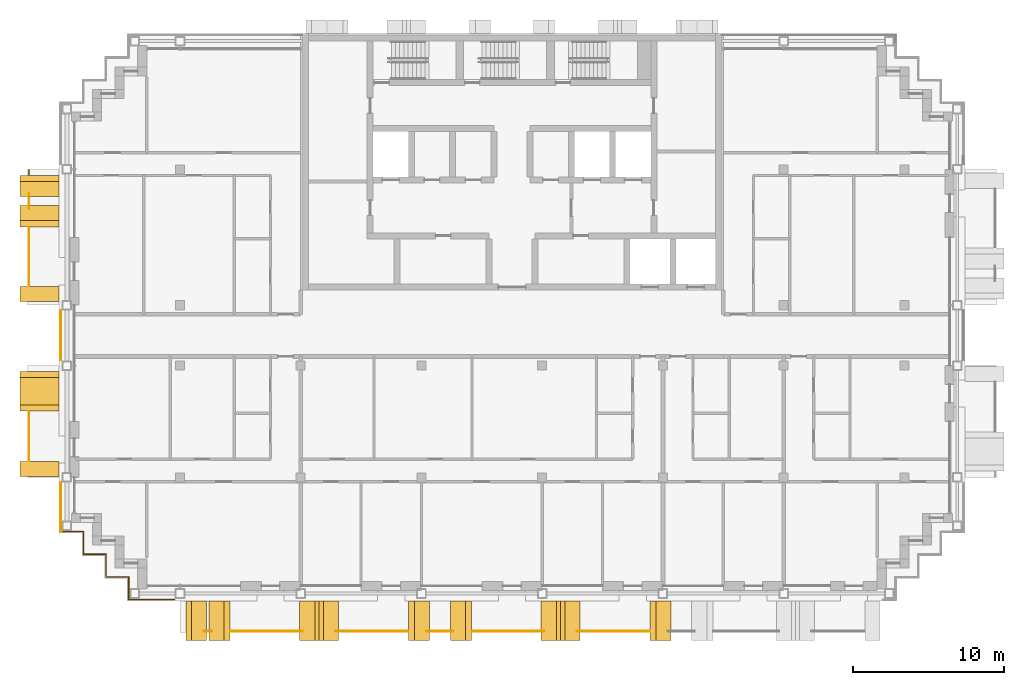
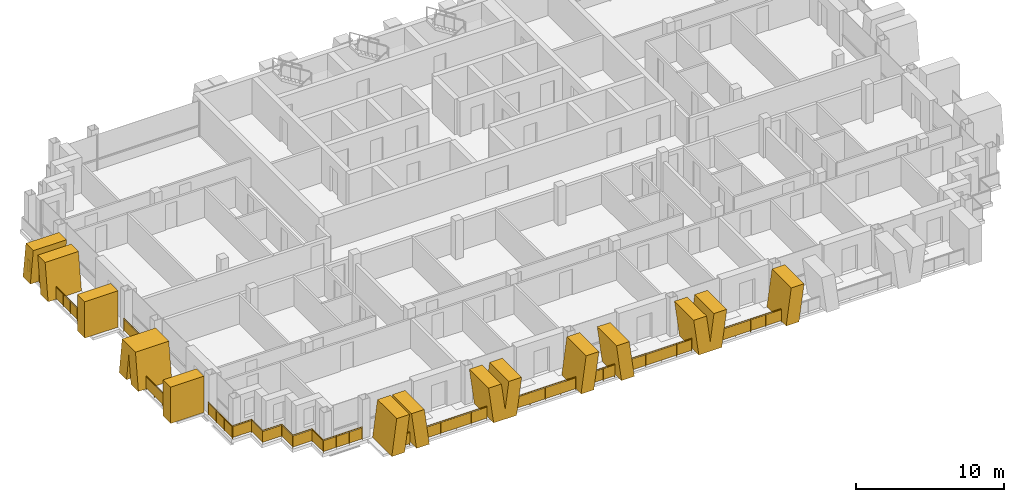
# One storey, part 12 of 15: 13 railings, 12 shading devices.
"""IFC4 building model written with IfcOpenShell, lengths in metres."""

from ifc_helpers import new_model, si_unit, direction, frame, origin, origin_2d, place, context, subcontext, project, spatial, polyline, rectangle, circle, outline, extrude, material, layer, layer_set, type_object, element, save


model = new_model("IFC4")

# Units and contexts
model_context = context("Model", 3, precision=1e-05, world=origin(), true_north=direction((0.0, 1.0)))
body_context = subcontext(model_context, "Body", "Model", "MODEL_VIEW")
ifc_project = project(units=[si_unit("LENGTHUNIT", "METRE"), si_unit("AREAUNIT", "SQUARE_METRE"), si_unit("VOLUMEUNIT", "CUBIC_METRE"), si_unit("PLANEANGLEUNIT", "RADIAN"), si_unit("MASSUNIT", "GRAM", prefix="KILO")], contexts=[model_context])

# Site, building, storey
site_placement = place(None, origin())
site = spatial("IfcSite", under=ifc_project, at=site_placement, CompositionType="ELEMENT")
building_placement = place(site_placement, origin())
building = spatial("IfcBuilding", under=site, at=building_placement, Name="Vidyagriha Tower", CompositionType="ELEMENT")
storey_placement = place(building_placement, frame((0.0, 0.0, 210.800048828125)))
storey = spatial("IfcBuildingStorey", under=building, at=storey_placement, Name="L54", CompositionType="ELEMENT", Elevation=210.800048828125)

# Railings
ifc_material_1 = material(Name="Steel ASTM A500 Grade C black painted", Category="steel")
railing_type_1 = type_object("IfcRailingType", Name="Balcony guard 1100", PredefinedType="BALUSTRADE", material=ifc_material_1)
railing_1_placement = place(storey_placement, frame((-32.0, 11.0, 0.0)))
element("IfcRailing", 1, at=railing_1_placement, inside=storey, type_object=railing_type_1, Name="Balcony guard L54 R16.1-1", PredefinedType="BALUSTRADE", context=body_context, shape_type="SweptSolid", body=[
    extrude(circle(Radius=0.02490234375, at=origin_2d()), frame((0.0, 0.0, 1.0751953125), z_axis=(0.0, -1.0, 0.0), x_axis=(1.0, 0.0, 0.0)), (0.0, 0.0, 1.0), 0.35009765625),
    extrude(circle(Radius=0.02001953125, at=origin_2d()), origin(), (0.0, 0.0, 1.0), 1.050048828125),
    extrude(circle(Radius=0.02001953125, at=origin_2d()), frame((0.0, -0.35009765625, 0.0)), (0.0, 0.0, 1.0), 1.050048828125),
    extrude(rectangle(XDim=0.010009765625, YDim=0.900146484375, at=origin_2d()), frame((0.0, 0.0, 0.550048828125), z_axis=(0.0, -1.0, 0.0), x_axis=(1.0, 0.0, 0.0)), (0.0, 0.0, 1.0), 0.35009765625),
])
railing_2_placement = place(storey_placement, frame((-32.0, 9.396728515625, 0.0)))
element("IfcRailing", 2, at=railing_2_placement, inside=storey, type_object=railing_type_1, Name="Balcony guard L54 R16.1-2", PredefinedType="BALUSTRADE", context=body_context, shape_type="SweptSolid", body=[
    extrude(circle(Radius=0.02490234375, at=origin_2d()), frame((0.0, 0.0, 1.0751953125), z_axis=(0.0, -1.0, 0.0), x_axis=(1.0, 0.0, 0.0)), (0.0, 0.0, 1.0), 0.993408203125),
    extrude(circle(Radius=0.02001953125, at=origin_2d()), origin(), (0.0, 0.0, 1.0), 1.050048828125),
    extrude(circle(Radius=0.02001953125, at=origin_2d()), frame((0.0, -0.993408203125, 0.0)), (0.0, 0.0, 1.0), 1.050048828125),
    extrude(rectangle(XDim=0.010009765625, YDim=0.900146484375, at=origin_2d()), frame((0.0, 0.0, 0.550048828125), z_axis=(0.0, -1.0, 0.0), x_axis=(1.0, 0.0, 0.0)), (0.0, 0.0, 1.0), 0.993408203125),
])
railing_3_placement = place(storey_placement, frame((-32.0, 7.14990234375, 0.0)))
element("IfcRailing", 3, at=railing_3_placement, inside=storey, type_object=railing_type_1, Name="Balcony guard L54 R16.1-3", PredefinedType="BALUSTRADE", context=body_context, shape_type="SweptSolid", body=[
    extrude(circle(Radius=0.02490234375, at=origin_2d()), frame((0.0, 0.0, 1.0751953125), z_axis=(0.0, -1.0, 0.0), x_axis=(1.0, 0.0, 0.0)), (0.0, 0.0, 1.0), 3.849853515625),
    extrude(circle(Radius=0.02001953125, at=origin_2d()), origin(), (0.0, 0.0, 1.0), 1.050048828125),
    extrude(circle(Radius=0.02001953125, at=origin_2d()), frame((0.0, -0.96240234375, 0.0)), (0.0, 0.0, 1.0), 1.050048828125),
    extrude(circle(Radius=0.02001953125, at=origin_2d()), frame((0.0, -1.9248046875, 0.0)), (0.0, 0.0, 1.0), 1.050048828125),
    extrude(circle(Radius=0.02001953125, at=origin_2d()), frame((0.0, -2.887451171875, 0.0)), (0.0, 0.0, 1.0), 1.050048828125),
    extrude(circle(Radius=0.02001953125, at=origin_2d()), frame((0.0, -3.849853515625, 0.0)), (0.0, 0.0, 1.0), 1.050048828125),
    extrude(rectangle(XDim=0.010009765625, YDim=0.900146484375, at=origin_2d()), frame((0.0, 0.0, 0.550048828125), z_axis=(0.0, -1.0, 0.0), x_axis=(1.0, 0.0, 0.0)), (0.0, 0.0, 1.0), 3.849853515625),
])
railing_4_placement = place(storey_placement, frame((-32.0, -5.050048828125, 0.0)))
element("IfcRailing", 4, at=railing_4_placement, inside=storey, type_object=railing_type_1, Name="Balcony guard L54 R16.2-1", PredefinedType="BALUSTRADE", context=body_context, shape_type="SweptSolid", body=[
    extrude(circle(Radius=0.02490234375, at=origin_2d()), frame((0.0, 0.0, 1.0751953125), z_axis=(0.0, -1.0, 0.0), x_axis=(1.0, 0.0, 0.0)), (0.0, 0.0, 1.0), 3.25),
    extrude(circle(Radius=0.02001953125, at=origin_2d()), origin(), (0.0, 0.0, 1.0), 1.050048828125),
    extrude(circle(Radius=0.02001953125, at=origin_2d()), frame((0.0, -1.083251953125, 0.0)), (0.0, 0.0, 1.0), 1.050048828125),
    extrude(circle(Radius=0.02001953125, at=origin_2d()), frame((0.0, -2.166748046875, 0.0)), (0.0, 0.0, 1.0), 1.050048828125),
    extrude(circle(Radius=0.02001953125, at=origin_2d()), frame((0.0, -3.25, 0.0)), (0.0, 0.0, 1.0), 1.050048828125),
    extrude(rectangle(XDim=0.010009765625, YDim=0.900146484375, at=origin_2d()), frame((0.0, 0.0, 0.550048828125), z_axis=(0.0, -1.0, 0.0), x_axis=(1.0, 0.0, 0.0)), (0.0, 0.0, 1.0), 3.25),
])
railing_5_placement = place(storey_placement, frame((-20.41650390625, -19.60009765625, 0.0)))
element("IfcRailing", 5, at=railing_5_placement, inside=storey, type_object=railing_type_1, Name="Balcony guard L54 R23.1-1", PredefinedType="BALUSTRADE", context=body_context, shape_type="SweptSolid", body=[
    extrude(circle(Radius=0.02490234375, at=origin_2d()), frame((0.0, 0.0, 1.0751953125), z_axis=(1.0, 0.0, 0.0), x_axis=(0.0, 1.0, 0.0)), (0.0, 0.0, 1.0), 0.532958984375),
    extrude(circle(Radius=0.02001953125, at=origin_2d()), origin(), (0.0, 0.0, 1.0), 1.050048828125),
    extrude(circle(Radius=0.02001953125, at=origin_2d()), frame((0.532958984375, 0.0, 0.0)), (0.0, 0.0, 1.0), 1.050048828125),
    extrude(rectangle(XDim=0.010009765625, YDim=0.900146484375, at=origin_2d()), frame((0.0, 0.0, 0.550048828125), z_axis=(1.0, 0.0, 0.0), x_axis=(0.0, 1.0, 0.0)), (0.0, 0.0, 1.0), 0.532958984375),
])
railing_6_placement = place(storey_placement, frame((-18.6357421875, -19.60009765625, 0.0)))
element("IfcRailing", 6, at=railing_6_placement, inside=storey, type_object=railing_type_1, Name="Balcony guard L54 R23.1-2", PredefinedType="BALUSTRADE", context=body_context, shape_type="SweptSolid", body=[
    extrude(circle(Radius=0.02490234375, at=origin_2d()), frame((0.0, 0.0, 1.0751953125), z_axis=(1.0, 0.0, 0.0), x_axis=(0.0, 1.0, 0.0)), (0.0, 0.0, 1.0), 4.764404296875),
    extrude(circle(Radius=0.02001953125, at=origin_2d()), origin(), (0.0, 0.0, 1.0), 1.050048828125),
    extrude(circle(Radius=0.02001953125, at=origin_2d()), frame((1.191162109375, 0.0, 0.0)), (0.0, 0.0, 1.0), 1.050048828125),
    extrude(circle(Radius=0.02001953125, at=origin_2d()), frame((2.38232421875, 0.0, 0.0)), (0.0, 0.0, 1.0), 1.050048828125),
    extrude(circle(Radius=0.02001953125, at=origin_2d()), frame((3.5732421875, 0.0, 0.0)), (0.0, 0.0, 1.0), 1.050048828125),
    extrude(circle(Radius=0.02001953125, at=origin_2d()), frame((4.764404296875, 0.0, 0.0)), (0.0, 0.0, 1.0), 1.050048828125),
    extrude(rectangle(XDim=0.010009765625, YDim=0.900146484375, at=origin_2d()), frame((0.0, 0.0, 0.550048828125), z_axis=(1.0, 0.0, 0.0), x_axis=(0.0, 1.0, 0.0)), (0.0, 0.0, 1.0), 4.764404296875),
])
railing_7_placement = place(storey_placement, frame((-11.678466796875, -19.60009765625, 0.0)))
element("IfcRailing", 7, at=railing_7_placement, inside=storey, type_object=railing_type_1, Name="Balcony guard L54 R23.1-3", PredefinedType="BALUSTRADE", context=body_context, shape_type="SweptSolid", body=[
    extrude(circle(Radius=0.02490234375, at=origin_2d()), frame((0.0, 0.0, 1.0751953125), z_axis=(1.0, 0.0, 0.0), x_axis=(0.0, 1.0, 0.0)), (0.0, 0.0, 1.0), 4.7734375),
    extrude(circle(Radius=0.02001953125, at=origin_2d()), origin(), (0.0, 0.0, 1.0), 1.050048828125),
    extrude(circle(Radius=0.02001953125, at=origin_2d()), frame((1.193359375, 0.0, 0.0)), (0.0, 0.0, 1.0), 1.050048828125),
    extrude(circle(Radius=0.02001953125, at=origin_2d()), frame((2.38671875, 0.0, 0.0)), (0.0, 0.0, 1.0), 1.050048828125),
    extrude(circle(Radius=0.02001953125, at=origin_2d()), frame((3.580078125, 0.0, 0.0)), (0.0, 0.0, 1.0), 1.050048828125),
    extrude(circle(Radius=0.02001953125, at=origin_2d()), frame((4.7734375, 0.0, 0.0)), (0.0, 0.0, 1.0), 1.050048828125),
    extrude(rectangle(XDim=0.010009765625, YDim=0.900146484375, at=origin_2d()), frame((0.0, 0.0, 0.550048828125), z_axis=(1.0, 0.0, 0.0), x_axis=(0.0, 1.0, 0.0)), (0.0, 0.0, 1.0), 4.7734375),
])
railing_8_placement = place(storey_placement, frame((-5.653564453125, -19.60009765625, 0.0)))
element("IfcRailing", 8, at=railing_8_placement, inside=storey, type_object=railing_type_1, Name="Balcony guard L54 R23.1-4", PredefinedType="BALUSTRADE", context=body_context, shape_type="SweptSolid", body=[
    extrude(circle(Radius=0.02490234375, at=origin_2d()), frame((0.0, 0.0, 1.0751953125), z_axis=(1.0, 0.0, 0.0), x_axis=(0.0, 1.0, 0.0)), (0.0, 0.0, 1.0), 1.757080078125),
    extrude(circle(Radius=0.02001953125, at=origin_2d()), origin(), (0.0, 0.0, 1.0), 1.050048828125),
    extrude(circle(Radius=0.02001953125, at=origin_2d()), frame((0.87841796875, 0.0, 0.0)), (0.0, 0.0, 1.0), 1.050048828125),
    extrude(circle(Radius=0.02001953125, at=origin_2d()), frame((1.757080078125, 0.0, 0.0)), (0.0, 0.0, 1.0), 1.050048828125),
    extrude(rectangle(XDim=0.010009765625, YDim=0.900146484375, at=origin_2d()), frame((0.0, 0.0, 0.550048828125), z_axis=(1.0, 0.0, 0.0), x_axis=(0.0, 1.0, 0.0)), (0.0, 0.0, 1.0), 1.757080078125),
])
railing_9_placement = place(storey_placement, frame((-2.64501953125, -19.60009765625, 0.0)))
element("IfcRailing", 9, at=railing_9_placement, inside=storey, type_object=railing_type_1, Name="Balcony guard L54 R23.1-5", PredefinedType="BALUSTRADE", context=body_context, shape_type="SweptSolid", body=[
    extrude(circle(Radius=0.02490234375, at=origin_2d()), frame((0.0, 0.0, 1.0751953125), z_axis=(1.0, 0.0, 0.0), x_axis=(0.0, 1.0, 0.0)), (0.0, 0.0, 1.0), 4.773681640625),
    extrude(circle(Radius=0.02001953125, at=origin_2d()), origin(), (0.0, 0.0, 1.0), 1.050048828125),
    extrude(circle(Radius=0.02001953125, at=origin_2d()), frame((1.193359375, 0.0, 0.0)), (0.0, 0.0, 1.0), 1.050048828125),
    extrude(circle(Radius=0.02001953125, at=origin_2d()), frame((2.38671875, 0.0, 0.0)), (0.0, 0.0, 1.0), 1.050048828125),
    extrude(circle(Radius=0.02001953125, at=origin_2d()), frame((3.580322265625, 0.0, 0.0)), (0.0, 0.0, 1.0), 1.050048828125),
    extrude(circle(Radius=0.02001953125, at=origin_2d()), frame((4.773681640625, 0.0, 0.0)), (0.0, 0.0, 1.0), 1.050048828125),
    extrude(rectangle(XDim=0.010009765625, YDim=0.900146484375, at=origin_2d()), frame((0.0, 0.0, 0.550048828125), z_axis=(1.0, 0.0, 0.0), x_axis=(0.0, 1.0, 0.0)), (0.0, 0.0, 1.0), 4.773681640625),
])
railing_10_placement = place(storey_placement, frame((4.321533203125, -19.60009765625, 0.0)))
element("IfcRailing", 10, at=railing_10_placement, inside=storey, type_object=railing_type_1, Name="Balcony guard L54 R23.1-6", PredefinedType="BALUSTRADE", context=body_context, shape_type="SweptSolid", body=[
    extrude(circle(Radius=0.02490234375, at=origin_2d()), frame((0.0, 0.0, 1.0751953125), z_axis=(1.0, 0.0, 0.0), x_axis=(0.0, 1.0, 0.0)), (0.0, 0.0, 1.0), 4.7734375),
    extrude(circle(Radius=0.02001953125, at=origin_2d()), origin(), (0.0, 0.0, 1.0), 1.050048828125),
    extrude(circle(Radius=0.02001953125, at=origin_2d()), frame((1.193359375, 0.0, 0.0)), (0.0, 0.0, 1.0), 1.050048828125),
    extrude(circle(Radius=0.02001953125, at=origin_2d()), frame((2.38671875, 0.0, 0.0)), (0.0, 0.0, 1.0), 1.050048828125),
    extrude(circle(Radius=0.02001953125, at=origin_2d()), frame((3.580078125, 0.0, 0.0)), (0.0, 0.0, 1.0), 1.050048828125),
    extrude(circle(Radius=0.02001953125, at=origin_2d()), frame((4.7734375, 0.0, 0.0)), (0.0, 0.0, 1.0), 1.050048828125),
    extrude(rectangle(XDim=0.010009765625, YDim=0.900146484375, at=origin_2d()), frame((0.0, 0.0, 0.550048828125), z_axis=(1.0, 0.0, 0.0), x_axis=(0.0, 1.0, 0.0)), (0.0, 0.0, 1.0), 4.7734375),
])

# Shading devices
ifc_material_2 = material(Name="Precast concrete C40/50 with buff brick facing", Category="concrete")
ifc_layer_1 = layer(ifc_material_2, 1.0)
ifc_layer_set_1 = layer_set([ifc_layer_1], Name="Precast concrete C40/50 with buff brick facing")
shading_device_type_1 = type_object("IfcShadingDeviceType", Name="Brick-faced blade fin arm leaning 8 degrees", PredefinedType="USERDEFINED", material=ifc_layer_set_1)
shading_device_1_placement = place(storey_placement, frame((-31.300048828125, 10.60009765625, 0.0), z_axis=(0.0, 0.0, 1.0), x_axis=(0.0, -1.0, 0.0)))
element("IfcShadingDevice", 11, at=shading_device_1_placement, inside=storey, type_object=shading_device_type_1, Name="Leaning blade fin L54 R16.320a", ObjectType="BLADE FIN", PredefinedType="USERDEFINED", context=body_context, shape_type="SweptSolid", body=[
    extrude(outline(polyline([(0.0, 0.0), (1.0, 0.0), (1.39990234375, 3.0), (0.39990234375, 3.0), (0.0, 0.0)])), frame((0.0, 1.300048828125, 0.0), z_axis=(0.0, -1.0, 0.0), x_axis=(1.0, 0.0, 0.0)), (0.0, 0.0, 1.0), 2.60009765625),
])
shading_device_2_placement = place(storey_placement, frame((-31.300048828125, 8.60009765625, 0.0), z_axis=(0.0, 0.0, 1.0), x_axis=(0.0, -1.0, 0.0)))
element("IfcShadingDevice", 12, at=shading_device_2_placement, inside=storey, type_object=shading_device_type_1, Name="Leaning blade fin L54 R16.320b", ObjectType="BLADE FIN", PredefinedType="USERDEFINED", context=body_context, shape_type="SweptSolid", body=[
    extrude(outline(polyline([(0.39990234375, 0.0), (1.39990234375, 0.0), (1.0, 3.0), (0.0, 3.0), (0.39990234375, 0.0)])), frame((0.0, 1.300048828125, 0.0), z_axis=(0.0, -1.0, 0.0), x_axis=(1.0, 0.0, 0.0)), (0.0, 0.0, 1.0), 2.60009765625),
])
shading_device_3_placement = place(storey_placement, frame((-21.6142578125, -18.89990234375, 0.0)))
element("IfcShadingDevice", 13, at=shading_device_3_placement, inside=storey, type_object=shading_device_type_1, Name="Leaning blade fin L54 R23.220a", ObjectType="BLADE FIN", PredefinedType="USERDEFINED", context=body_context, shape_type="SweptSolid", body=[
    extrude(outline(polyline([(0.0, 0.0), (1.0, 0.0), (1.3857421875, 3.0), (0.3857421875, 3.0), (0.0, 0.0)])), frame((0.0, 1.300048828125, 0.0), z_axis=(0.0, -1.0, 0.0), x_axis=(1.0, 0.0, 0.0)), (0.0, 0.0, 1.0), 2.60009765625),
])
shading_device_4_placement = place(storey_placement, frame((-20.0712890625, -18.89990234375, 0.0)))
element("IfcShadingDevice", 14, at=shading_device_4_placement, inside=storey, type_object=shading_device_type_1, Name="Leaning blade fin L54 R23.220b", ObjectType="BLADE FIN", PredefinedType="USERDEFINED", context=body_context, shape_type="SweptSolid", body=[
    extrude(outline(polyline([(0.3857421875, 0.0), (1.3857421875, 0.0), (1.0, 3.0), (0.0, 3.0), (0.3857421875, 0.0)])), frame((0.0, 1.300048828125, 0.0), z_axis=(0.0, -1.0, 0.0), x_axis=(1.0, 0.0, 0.0)), (0.0, 0.0, 1.0), 2.60009765625),
])
shading_device_5_placement = place(storey_placement, frame((-6.85498046875, -18.89990234375, 0.0)))
element("IfcShadingDevice", 15, at=shading_device_5_placement, inside=storey, type_object=shading_device_type_1, Name="Leaning blade fin L54 R23.1820a", ObjectType="BLADE FIN", PredefinedType="USERDEFINED", context=body_context, shape_type="SweptSolid", body=[
    extrude(outline(polyline([(0.0, 0.0), (1.0, 0.0), (1.39501953125, 3.0), (0.39501953125, 3.0), (0.0, 0.0)])), frame((0.0, 1.300048828125, 0.0), z_axis=(0.0, -1.0, 0.0), x_axis=(1.0, 0.0, 0.0)), (0.0, 0.0, 1.0), 2.60009765625),
])
shading_device_6_placement = place(storey_placement, frame((-4.090087890625, -18.89990234375, 0.0)))
element("IfcShadingDevice", 16, at=shading_device_6_placement, inside=storey, type_object=shading_device_type_1, Name="Leaning blade fin L54 R23.1820b", ObjectType="BLADE FIN", PredefinedType="USERDEFINED", context=body_context, shape_type="SweptSolid", body=[
    extrude(outline(polyline([(0.39501953125, 0.0), (1.39501953125, 0.0), (1.0, 3.0), (0.0, 3.0), (0.39501953125, 0.0)])), frame((0.0, 1.300048828125, 0.0), z_axis=(0.0, -1.0, 0.0), x_axis=(1.0, 0.0, 0.0)), (0.0, 0.0, 1.0), 2.60009765625),
])
shading_device_7_placement = place(storey_placement, frame((9.14501953125, -18.89990234375, 0.0)))
element("IfcShadingDevice", 17, at=shading_device_7_placement, inside=storey, type_object=shading_device_type_1, Name="Leaning blade fin L54 R23.3420a", ObjectType="BLADE FIN", PredefinedType="USERDEFINED", context=body_context, shape_type="SweptSolid", body=[
    extrude(outline(polyline([(0.0, 0.0), (1.0, 0.0), (1.39501953125, 3.0), (0.39501953125, 3.0), (0.0, 0.0)])), frame((0.0, 1.300048828125, 0.0), z_axis=(0.0, -1.0, 0.0), x_axis=(1.0, 0.0, 0.0)), (0.0, 0.0, 1.0), 2.60009765625),
])
ifc_material_3 = material(Name="Precast concrete C40/50 with buff brick facing", Category="concrete")
ifc_layer_2 = layer(ifc_material_3, 1.0)
ifc_layer_set_2 = layer_set([ifc_layer_2], Name="Precast concrete C40/50 with buff brick facing")
shading_device_type_2 = type_object("IfcShadingDeviceType", Name="Brick-faced blade fin forking 8 degrees", PredefinedType="USERDEFINED", material=ifc_layer_set_2)
shading_device_8_placement = place(storey_placement, frame((-31.300048828125, -2.39990234375, 0.0), z_axis=(0.0, 0.0, 1.0), x_axis=(0.0, -1.0, 0.0)))
element("IfcShadingDevice", 18, at=shading_device_8_placement, inside=storey, type_object=shading_device_type_2, Name="Forked blade fin L54 R16.1620a", ObjectType="BLADE FIN", PredefinedType="USERDEFINED", context=body_context, shape_type="SweptSolid", body=[
    extrude(outline(polyline([(1.0, 0.0), (1.300048828125, 2.25), (1.60009765625, 0.0), (2.60009765625, 0.0), (2.199951171875, 3.0), (0.39990234375, 3.0), (0.0, 0.0), (1.0, 0.0)])), frame((0.0, 1.300048828125, 0.0), z_axis=(0.0, -1.0, 0.0), x_axis=(1.0, 0.0, 0.0)), (0.0, 0.0, 1.0), 2.60009765625),
])
for number, where, name in (
    (19, (-14.06494140625, -18.89990234375, 0.0), "Forked blade fin L54 R23.1020a"),
    (20, (1.93505859375, -18.89990234375, 0.0), "Forked blade fin L54 R23.2620a"),
):
    element("IfcShadingDevice", number, at=place(storey_placement, frame(where)), inside=storey, type_object=shading_device_type_2, Name=name, ObjectType="BLADE FIN", PredefinedType="USERDEFINED", context=body_context, shape_type="SweptSolid", body=[
        extrude(outline(polyline([(0.39501953125, 0.0), (2.18505859375, 0.0), (2.580078125, 3.0), (1.580078125, 3.0), (1.2900390625, 0.79736328125), (1.0, 3.0), (0.0, 3.0), (0.39501953125, 0.0)])), frame((0.0, 1.300048828125, 0.0), z_axis=(0.0, -1.0, 0.0), x_axis=(1.0, 0.0, 0.0)), (0.0, 0.0, 1.0), 2.60009765625),
    ])
ifc_material_4 = material(Name="Precast concrete C40/50 with buff brick facing", Category="concrete")
ifc_layer_3 = layer(ifc_material_4, 1.0)
ifc_layer_set_3 = layer_set([ifc_layer_3], Name="Precast concrete C40/50 with buff brick facing")
shading_device_type_3 = type_object("IfcShadingDeviceType", Name="Brick-faced blade fin stem 1000", PredefinedType="USERDEFINED", material=ifc_layer_set_3)
for number, where, z_axis, x_axis, name in (
    (21, (-31.300048828125, 3.25, 0.0), (0.0, 0.0, 1.0), (0.0, -1.0, 0.0), "Stem blade fin L54 R16.1220a"),
    (22, (-31.300048828125, -8.35009765625, 0.0), (0.0, 0.0, 1.0), (0.0, -1.0, 0.0), "Stem blade fin L54 R16.2360a"),
):
    element("IfcShadingDevice", number, at=place(storey_placement, frame(where, z_axis=z_axis, x_axis=x_axis)), inside=storey, type_object=shading_device_type_3, Name=name, ObjectType="BLADE FIN", PredefinedType="USERDEFINED", context=body_context, shape_type="SweptSolid", body=[
        extrude(outline(polyline([(0.0, 0.0), (1.0, 0.0), (1.0, 3.0), (0.0, 3.0), (0.0, 0.0)])), frame((0.0, 1.300048828125, 0.0), z_axis=(0.0, -1.0, 0.0), x_axis=(1.0, 0.0, 0.0)), (0.0, 0.0, 1.0), 2.60009765625),
    ])

# Railings
ifc_material_5 = material(Name="Steel ASTM A500 Grade C black painted", Category="steel")
railing_type_2 = type_object("IfcRailingType", Name="Gallery guard 1100", PredefinedType="GUARDRAIL", material=ifc_material_5)
railing_11_placement = place(storey_placement, frame((-22.360107421875, -17.5, 0.0)))
element("IfcRailing", 23, at=railing_11_placement, inside=storey, type_object=railing_type_2, Name="Gallery guard L54 1", PredefinedType="GUARDRAIL", context=body_context, shape_type="SweptSolid", body=[
    extrude(circle(Radius=0.02490234375, at=origin_2d()), frame((0.0, 0.0, 1.0751953125), z_axis=(-1.0, 0.0, 0.0), x_axis=(0.0, -1.0, 0.0)), (0.0, 0.0, 1.0), 3.039794921875),
    extrude(circle(Radius=0.02490234375, at=origin_2d()), frame((-3.039794921875, 0.0, 1.0751953125), z_axis=(0.0, 1.0, 0.0), x_axis=(-1.0, 0.0, 0.0)), (0.0, 0.0, 1.0), 1.5),
    extrude(circle(Radius=0.02490234375, at=origin_2d()), frame((-3.039794921875, 1.5, 1.0751953125), z_axis=(-1.0, 0.0, 0.0), x_axis=(0.0, -1.0, 0.0)), (0.0, 0.0, 1.0), 1.5),
    extrude(circle(Radius=0.02490234375, at=origin_2d()), frame((-4.539794921875, 1.5, 1.0751953125), z_axis=(0.0, 1.0, 0.0), x_axis=(-1.0, 0.0, 0.0)), (0.0, 0.0, 1.0), 1.5),
    extrude(circle(Radius=0.02490234375, at=origin_2d()), frame((-4.539794921875, 3.0, 1.0751953125), z_axis=(-1.0, 0.0, 0.0), x_axis=(0.0, -1.0, 0.0)), (0.0, 0.0, 1.0), 1.5),
    extrude(circle(Radius=0.02490234375, at=origin_2d()), frame((-6.039794921875, 3.0, 1.0751953125), z_axis=(0.0, 1.0, 0.0), x_axis=(-1.0, 0.0, 0.0)), (0.0, 0.0, 1.0), 1.5),
    extrude(circle(Radius=0.02490234375, at=origin_2d()), frame((-6.039794921875, 4.5, 1.0751953125), z_axis=(-1.0, 0.0, 0.0), x_axis=(0.0, -1.0, 0.0)), (0.0, 0.0, 1.0), 1.460205078125),
    extrude(circle(Radius=0.02001953125, at=origin_2d()), origin(), (0.0, 0.0, 1.0), 1.050048828125),
    extrude(circle(Radius=0.02001953125, at=origin_2d()), frame((-1.01318359375, 0.0, 0.0)), (0.0, 0.0, 1.0), 1.050048828125),
    extrude(circle(Radius=0.02001953125, at=origin_2d()), frame((-2.026611328125, 0.0, 0.0)), (0.0, 0.0, 1.0), 1.050048828125),
    extrude(circle(Radius=0.02001953125, at=origin_2d()), frame((-3.039794921875, 0.0, 0.0)), (0.0, 0.0, 1.0), 1.050048828125),
    extrude(circle(Radius=0.02001953125, at=origin_2d()), frame((-3.039794921875, 1.5, 0.0)), (0.0, 0.0, 1.0), 1.050048828125),
    extrude(circle(Radius=0.02001953125, at=origin_2d()), frame((-4.539794921875, 1.5, 0.0)), (0.0, 0.0, 1.0), 1.050048828125),
    extrude(circle(Radius=0.02001953125, at=origin_2d()), frame((-4.539794921875, 3.0, 0.0)), (0.0, 0.0, 1.0), 1.050048828125),
    extrude(circle(Radius=0.02001953125, at=origin_2d()), frame((-6.039794921875, 3.0, 0.0)), (0.0, 0.0, 1.0), 1.050048828125),
    extrude(circle(Radius=0.02001953125, at=origin_2d()), frame((-6.039794921875, 4.5, 0.0)), (0.0, 0.0, 1.0), 1.050048828125),
    extrude(circle(Radius=0.02001953125, at=origin_2d()), frame((-7.5, 4.5, 0.0)), (0.0, 0.0, 1.0), 1.050048828125),
    extrude(rectangle(XDim=0.010009765625, YDim=0.900146484375, at=origin_2d()), frame((0.0, 0.0, 0.550048828125), z_axis=(-1.0, 0.0, 0.0), x_axis=(0.0, -1.0, 0.0)), (0.0, 0.0, 1.0), 3.039794921875),
    extrude(rectangle(XDim=0.010009765625, YDim=0.900146484375, at=origin_2d()), frame((-3.039794921875, 0.0, 0.550048828125), z_axis=(0.0, 1.0, 0.0), x_axis=(-1.0, 0.0, 0.0)), (0.0, 0.0, 1.0), 1.5),
    extrude(rectangle(XDim=0.010009765625, YDim=0.900146484375, at=origin_2d()), frame((-3.039794921875, 1.5, 0.550048828125), z_axis=(-1.0, 0.0, 0.0), x_axis=(0.0, -1.0, 0.0)), (0.0, 0.0, 1.0), 1.5),
    extrude(rectangle(XDim=0.010009765625, YDim=0.900146484375, at=origin_2d()), frame((-4.539794921875, 1.5, 0.550048828125), z_axis=(0.0, 1.0, 0.0), x_axis=(-1.0, 0.0, 0.0)), (0.0, 0.0, 1.0), 1.5),
    extrude(rectangle(XDim=0.010009765625, YDim=0.900146484375, at=origin_2d()), frame((-4.539794921875, 3.0, 0.550048828125), z_axis=(-1.0, 0.0, 0.0), x_axis=(0.0, -1.0, 0.0)), (0.0, 0.0, 1.0), 1.5),
    extrude(rectangle(XDim=0.010009765625, YDim=0.900146484375, at=origin_2d()), frame((-6.039794921875, 3.0, 0.550048828125), z_axis=(0.0, 1.0, 0.0), x_axis=(-1.0, 0.0, 0.0)), (0.0, 0.0, 1.0), 1.5),
    extrude(rectangle(XDim=0.010009765625, YDim=0.900146484375, at=origin_2d()), frame((-6.039794921875, 4.5, 0.550048828125), z_axis=(-1.0, 0.0, 0.0), x_axis=(0.0, -1.0, 0.0)), (0.0, 0.0, 1.0), 1.460205078125),
])
railing_12_placement = place(storey_placement, frame((-29.860107421875, -13.0, 0.0)))
element("IfcRailing", 24, at=railing_12_placement, inside=storey, type_object=railing_type_2, Name="Gallery guard L54 2", PredefinedType="GUARDRAIL", context=body_context, shape_type="SweptSolid", body=[
    extrude(circle(Radius=0.02490234375, at=origin_2d()), frame((0.0, 0.0, 1.0751953125), z_axis=(-1.0, 0.0, 0.0), x_axis=(0.0, -1.0, 0.0)), (0.0, 0.0, 1.0), 0.039794921875),
    extrude(circle(Radius=0.02490234375, at=origin_2d()), frame((-0.039794921875, 0.0, 1.0751953125), z_axis=(0.0, 1.0, 0.0), x_axis=(-1.0, 0.0, 0.0)), (0.0, 0.0, 1.0), 3.239990234375),
    extrude(circle(Radius=0.02001953125, at=origin_2d()), origin(), (0.0, 0.0, 1.0), 1.050048828125),
    extrude(circle(Radius=0.02001953125, at=origin_2d()), frame((-0.039794921875, 0.0, 0.0)), (0.0, 0.0, 1.0), 1.050048828125),
    extrude(circle(Radius=0.02001953125, at=origin_2d()), frame((-0.039794921875, 1.080078125, 0.0)), (0.0, 0.0, 1.0), 1.050048828125),
    extrude(circle(Radius=0.02001953125, at=origin_2d()), frame((-0.039794921875, 2.159912109375, 0.0)), (0.0, 0.0, 1.0), 1.050048828125),
    extrude(circle(Radius=0.02001953125, at=origin_2d()), frame((-0.039794921875, 3.239990234375, 0.0)), (0.0, 0.0, 1.0), 1.050048828125),
    extrude(rectangle(XDim=0.010009765625, YDim=0.900146484375, at=origin_2d()), frame((0.0, 0.0, 0.550048828125), z_axis=(-1.0, 0.0, 0.0), x_axis=(0.0, -1.0, 0.0)), (0.0, 0.0, 1.0), 0.039794921875),
    extrude(rectangle(XDim=0.010009765625, YDim=0.900146484375, at=origin_2d()), frame((-0.039794921875, 0.0, 0.550048828125), z_axis=(0.0, 1.0, 0.0), x_axis=(-1.0, 0.0, 0.0)), (0.0, 0.0, 1.0), 3.239990234375),
])
railing_13_placement = place(storey_placement, frame((-29.89990234375, -1.639892578125, 0.0)))
element("IfcRailing", 25, at=railing_13_placement, inside=storey, type_object=railing_type_2, Name="Gallery guard L54 3", PredefinedType="GUARDRAIL", context=body_context, shape_type="SweptSolid", body=[
    extrude(circle(Radius=0.02490234375, at=origin_2d()), frame((0.0, 0.0, 1.0751953125), z_axis=(0.0, 1.0, 0.0), x_axis=(-1.0, 0.0, 0.0)), (0.0, 0.0, 1.0), 3.27978515625),
    extrude(circle(Radius=0.02001953125, at=origin_2d()), origin(), (0.0, 0.0, 1.0), 1.050048828125),
    extrude(circle(Radius=0.02001953125, at=origin_2d()), frame((0.0, 1.09326171875, 0.0)), (0.0, 0.0, 1.0), 1.050048828125),
    extrude(circle(Radius=0.02001953125, at=origin_2d()), frame((0.0, 2.1865234375, 0.0)), (0.0, 0.0, 1.0), 1.050048828125),
    extrude(circle(Radius=0.02001953125, at=origin_2d()), frame((0.0, 3.27978515625, 0.0)), (0.0, 0.0, 1.0), 1.050048828125),
    extrude(rectangle(XDim=0.010009765625, YDim=0.900146484375, at=origin_2d()), frame((0.0, 0.0, 0.550048828125), z_axis=(0.0, 1.0, 0.0), x_axis=(-1.0, 0.0, 0.0)), (0.0, 0.0, 1.0), 3.27978515625),
])

save(model, "model.ifc")
